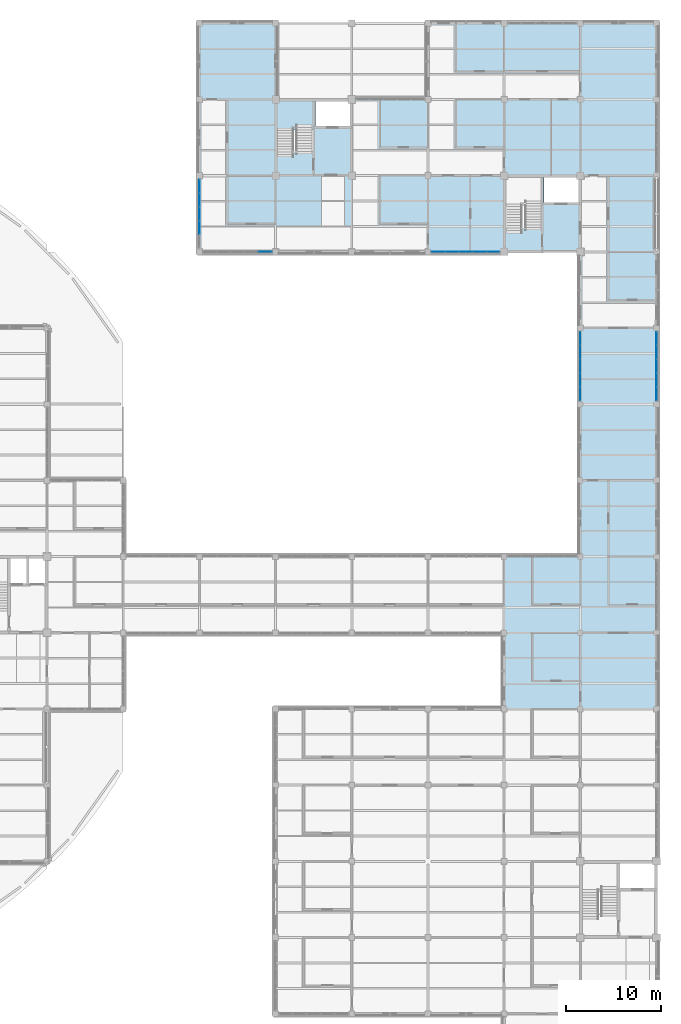
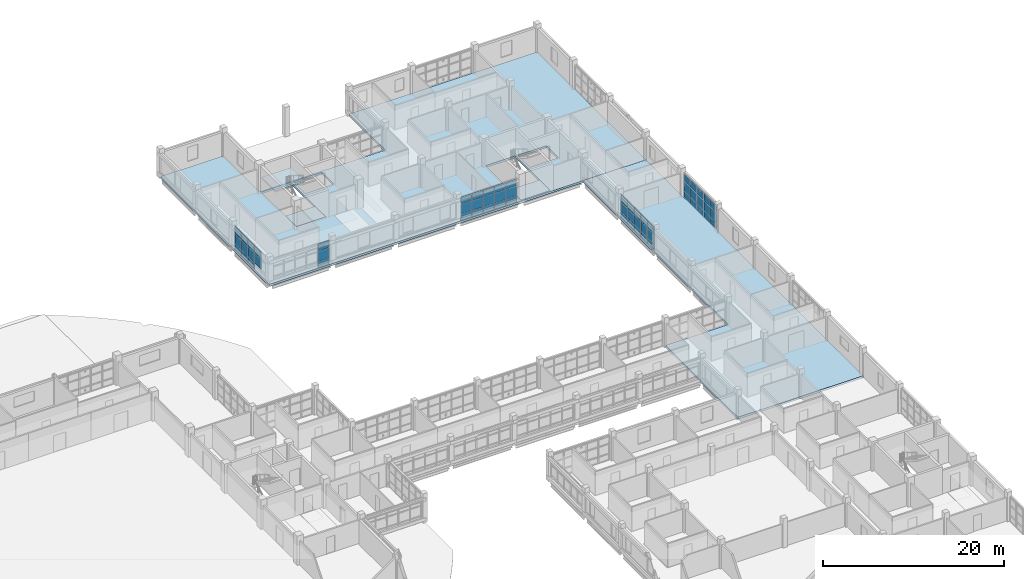
# One storey, part 81 of 126: 59 plates, 5 slabs, 6 elements without a shape of their own.
"""IFC4 building model written with IfcOpenShell, lengths in metres."""

from ifc_helpers import new_model, si_unit, derived_unit, direction, frame, origin, origin_2d, place, context, subcontext, project, spatial, polyline, rectangle, outline, extrude, material, layer, layer_set, type_object, element, aggregate, save


model = new_model("IFC4")

# Units and contexts
model_context = context("Model", 3, precision=1e-05, world=origin(), true_north=direction((0.0, 1.0)))
body_context = subcontext(model_context, "Body", "Model", "MODEL_VIEW")
ifc_project = project(units=[si_unit("LENGTHUNIT", "METRE"), si_unit("AREAUNIT", "SQUARE_METRE"), si_unit("VOLUMEUNIT", "CUBIC_METRE"), si_unit("PLANEANGLEUNIT", "RADIAN"), si_unit("MASSUNIT", "GRAM", prefix="KILO"), derived_unit("THERMALTRANSMITTANCEUNIT", [(si_unit("MASSUNIT", "GRAM", prefix="KILO"), 1), (si_unit("TIMEUNIT", "SECOND"), -3), (si_unit("THERMODYNAMICTEMPERATUREUNIT", "KELVIN"), -1)])], contexts=[model_context])

# Site, building, storey
site_placement = place(None, origin())
site = spatial("IfcSite", under=ifc_project, at=site_placement, CompositionType="ELEMENT")
building_placement = place(site_placement, origin())
building = spatial("IfcBuilding", under=site, at=building_placement, Name="Veyamyaing Civic Hall", CompositionType="ELEMENT")
storey_placement = place(building_placement, frame((0.0, 0.0, 9.89990234375)))
storey = spatial("IfcBuildingStorey", under=building, at=storey_placement, Name="L02", CompositionType="ELEMENT", Elevation=9.89990234375)

# Curtain wall, plates
ifc_material_1 = material(Name="Anodised aluminium 6063-T6", Category="aluminium")
ifc_layer_1 = layer(ifc_material_1, 0.159912109375, Name="Anodised aluminium 6063-T6")
ifc_layer_set_1 = layer_set([ifc_layer_1], Name="Anodised aluminium 6063-T6")
curtain_wall_type = type_object("IfcCurtainWallType", Name="CW-03", PredefinedType="NOTDEFINED", material=ifc_layer_set_1)
curtain_wall_1_placement = place(storey_placement, origin())
curtain_wall_1 = element("IfcCurtainWall", 1, at=curtain_wall_1_placement, inside=storey, type_object=curtain_wall_type, Name="Unitized curtain wall CW-03 L02 S 17.12", PredefinedType="NOTDEFINED")
ifc_material_2 = material(Name="Low-E insulated glass", Category="glass")
ifc_layer_2 = layer(ifc_material_2, 0.028076171875, Name="Low-E insulated glass")
ifc_layer_set_2 = layer_set([ifc_layer_2], Name="Low-E insulated glass")
plate_type_1 = type_object("IfcPlateType", Name="CWP-01", PredefinedType="CURTAIN_PANEL", material=ifc_layer_set_2)
plate_1_placement = place(storey_placement, frame((134.899658203125, 88.0, 0.06494140625), z_axis=(0.0, 0.0, 1.0), x_axis=(1.0, 0.0, 0.0)))
plate_1 = element("IfcPlate", 2, at=plate_1_placement, type_object=plate_type_1, Name="CW-03 panel 5.1", PredefinedType="CURTAIN_PANEL", context=body_context, shape_type="SweptSolid", body=[
    extrude(rectangle(XDim=1.360595703125, YDim=0.028076171875, at=origin_2d()), origin(), (0.0, 0.0, 1.0), 0.802490234375),
])
plate_2_placement = place(storey_placement, frame((134.899658203125, 88.0, 0.9326171875), z_axis=(0.0, 0.0, 1.0), x_axis=(1.0, 0.0, 0.0)))
plate_2 = element("IfcPlate", 3, at=plate_2_placement, type_object=plate_type_1, Name="CW-03 panel 5.2", PredefinedType="CURTAIN_PANEL", context=body_context, shape_type="SweptSolid", body=[
    extrude(rectangle(XDim=1.360595703125, YDim=0.028076171875, at=origin_2d()), origin(), (0.0, 0.0, 1.0), 1.308837890625),
])
plate_3_placement = place(storey_placement, frame((134.899658203125, 88.0, 2.306396484375), z_axis=(0.0, 0.0, 1.0), x_axis=(1.0, 0.0, 0.0)))
plate_3 = element("IfcPlate", 4, at=plate_3_placement, type_object=plate_type_1, Name="CW-03 panel 5.3", PredefinedType="CURTAIN_PANEL", context=body_context, shape_type="SweptSolid", body=[
    extrude(rectangle(XDim=1.360595703125, YDim=0.028076171875, at=origin_2d()), origin(), (0.0, 0.0, 1.0), 0.97265625),
])
aggregate(curtain_wall_1, [plate_1, plate_2, plate_3])

curtain_wall_2_placement = place(storey_placement, origin())
curtain_wall_2 = element("IfcCurtainWall", 5, at=curtain_wall_2_placement, inside=storey, type_object=curtain_wall_type, Name="Unitized curtain wall CW-03 L02 W 17.12", PredefinedType="NOTDEFINED")
plate_4_placement = place(storey_placement, frame((128.0, 90.5419921875, 0.9326171875), z_axis=(0.0, 0.0, 1.0), x_axis=(0.0, 1.0, 0.0)))
plate_4 = element("IfcPlate", 6, at=plate_4_placement, type_object=plate_type_1, Name="CW-03 panel 2.2", PredefinedType="CURTAIN_PANEL", context=body_context, shape_type="SweptSolid", body=[
    extrude(rectangle(XDim=1.39306640625, YDim=0.028076171875, at=origin_2d()), origin(), (0.0, 0.0, 1.0), 1.308837890625),
])
plate_5_placement = place(storey_placement, frame((128.0, 90.5419921875, 2.306396484375), z_axis=(0.0, 0.0, 1.0), x_axis=(0.0, 1.0, 0.0)))
plate_5 = element("IfcPlate", 7, at=plate_5_placement, type_object=plate_type_1, Name="CW-03 panel 2.3", PredefinedType="CURTAIN_PANEL", context=body_context, shape_type="SweptSolid", body=[
    extrude(rectangle(XDim=1.39306640625, YDim=0.028076171875, at=origin_2d()), origin(), (0.0, 0.0, 1.0), 0.97265625),
])
plate_6_placement = place(storey_placement, frame((128.0, 92.0, 0.06494140625), z_axis=(0.0, 0.0, 1.0), x_axis=(0.0, 1.0, 0.0)))
plate_6 = element("IfcPlate", 8, at=plate_6_placement, type_object=plate_type_1, Name="CW-03 panel 3.1", PredefinedType="CURTAIN_PANEL", context=body_context, shape_type="SweptSolid", body=[
    extrude(rectangle(XDim=1.39306640625, YDim=0.028076171875, at=origin_2d()), origin(), (0.0, 0.0, 1.0), 0.802490234375),
])
plate_7_placement = place(storey_placement, frame((128.0, 92.0, 0.9326171875), z_axis=(0.0, 0.0, 1.0), x_axis=(0.0, 1.0, 0.0)))
plate_7 = element("IfcPlate", 9, at=plate_7_placement, type_object=plate_type_1, Name="CW-03 panel 3.2", PredefinedType="CURTAIN_PANEL", context=body_context, shape_type="SweptSolid", body=[
    extrude(rectangle(XDim=1.39306640625, YDim=0.028076171875, at=origin_2d()), origin(), (0.0, 0.0, 1.0), 1.308837890625),
])
plate_8_placement = place(storey_placement, frame((128.0, 92.0, 2.306396484375), z_axis=(0.0, 0.0, 1.0), x_axis=(0.0, 1.0, 0.0)))
plate_8 = element("IfcPlate", 10, at=plate_8_placement, type_object=plate_type_1, Name="CW-03 panel 3.3", PredefinedType="CURTAIN_PANEL", context=body_context, shape_type="SweptSolid", body=[
    extrude(rectangle(XDim=1.39306640625, YDim=0.028076171875, at=origin_2d()), origin(), (0.0, 0.0, 1.0), 0.97265625),
])
plate_9_placement = place(storey_placement, frame((128.0, 93.4580078125, 0.06494140625), z_axis=(0.0, 0.0, 1.0), x_axis=(0.0, 1.0, 0.0)))
plate_9 = element("IfcPlate", 11, at=plate_9_placement, type_object=plate_type_1, Name="CW-03 panel 4.1", PredefinedType="CURTAIN_PANEL", context=body_context, shape_type="SweptSolid", body=[
    extrude(rectangle(XDim=1.39306640625, YDim=0.028076171875, at=origin_2d()), origin(), (0.0, 0.0, 1.0), 0.802490234375),
])
plate_10_placement = place(storey_placement, frame((128.0, 93.4580078125, 0.9326171875), z_axis=(0.0, 0.0, 1.0), x_axis=(0.0, 1.0, 0.0)))
plate_10 = element("IfcPlate", 12, at=plate_10_placement, type_object=plate_type_1, Name="CW-03 panel 4.2", PredefinedType="CURTAIN_PANEL", context=body_context, shape_type="SweptSolid", body=[
    extrude(rectangle(XDim=1.39306640625, YDim=0.028076171875, at=origin_2d()), origin(), (0.0, 0.0, 1.0), 1.308837890625),
])
plate_11_placement = place(storey_placement, frame((128.0, 93.4580078125, 2.306396484375), z_axis=(0.0, 0.0, 1.0), x_axis=(0.0, 1.0, 0.0)))
plate_11 = element("IfcPlate", 13, at=plate_11_placement, type_object=plate_type_1, Name="CW-03 panel 4.3", PredefinedType="CURTAIN_PANEL", context=body_context, shape_type="SweptSolid", body=[
    extrude(rectangle(XDim=1.39306640625, YDim=0.028076171875, at=origin_2d()), origin(), (0.0, 0.0, 1.0), 0.97265625),
])
plate_12_placement = place(storey_placement, frame((128.0, 94.899658203125, 0.06494140625), z_axis=(0.0, 0.0, 1.0), x_axis=(0.0, 1.0, 0.0)))
plate_12 = element("IfcPlate", 14, at=plate_12_placement, type_object=plate_type_1, Name="CW-03 panel 5.1", PredefinedType="CURTAIN_PANEL", context=body_context, shape_type="SweptSolid", body=[
    extrude(rectangle(XDim=1.360595703125, YDim=0.028076171875, at=origin_2d()), origin(), (0.0, 0.0, 1.0), 0.802490234375),
])
plate_13_placement = place(storey_placement, frame((128.0, 94.899658203125, 0.9326171875), z_axis=(0.0, 0.0, 1.0), x_axis=(0.0, 1.0, 0.0)))
plate_13 = element("IfcPlate", 15, at=plate_13_placement, type_object=plate_type_1, Name="CW-03 panel 5.2", PredefinedType="CURTAIN_PANEL", context=body_context, shape_type="SweptSolid", body=[
    extrude(rectangle(XDim=1.360595703125, YDim=0.028076171875, at=origin_2d()), origin(), (0.0, 0.0, 1.0), 1.308837890625),
])
plate_14_placement = place(storey_placement, frame((128.0, 94.899658203125, 2.306396484375), z_axis=(0.0, 0.0, 1.0), x_axis=(0.0, 1.0, 0.0)))
plate_14 = element("IfcPlate", 16, at=plate_14_placement, type_object=plate_type_1, Name="CW-03 panel 5.3", PredefinedType="CURTAIN_PANEL", context=body_context, shape_type="SweptSolid", body=[
    extrude(rectangle(XDim=1.360595703125, YDim=0.028076171875, at=origin_2d()), origin(), (0.0, 0.0, 1.0), 0.97265625),
])
aggregate(curtain_wall_2, [plate_4, plate_5, plate_6, plate_7, plate_8, plate_9, plate_10, plate_11, plate_12, plate_13, plate_14])

curtain_wall_3_placement = place(storey_placement, origin())
curtain_wall_3 = element("IfcCurtainWall", 17, at=curtain_wall_3_placement, inside=storey, type_object=curtain_wall_type, Name="Unitized curtain wall CW-03 L02 S 20.12", PredefinedType="NOTDEFINED")
ifc_layer_3 = layer(ifc_material_2, 0.02392578125, Name="Low-E insulated glass")
ifc_layer_set_3 = layer_set([ifc_layer_3], Name="Low-E insulated glass")
plate_type_2 = type_object("IfcPlateType", Name="CWP-04", PredefinedType="CURTAIN_PANEL", material=ifc_layer_set_3)
plate_15_placement = place(storey_placement, frame((153.0927734375, 88.0, 0.06494140625), z_axis=(0.0, 0.0, 1.0), x_axis=(1.0, 0.0, 0.0)))
plate_15 = element("IfcPlate", 18, at=plate_15_placement, type_object=plate_type_2, Name="CW-03 panel 1.1", PredefinedType="CURTAIN_PANEL", context=body_context, shape_type="SweptSolid", body=[
    extrude(rectangle(XDim=1.345458984375, YDim=0.02392578125, at=origin_2d()), origin(), (0.0, 0.0, 1.0), 0.802490234375),
])
plate_16_placement = place(storey_placement, frame((153.0927734375, 88.0, 0.9326171875), z_axis=(0.0, 0.0, 1.0), x_axis=(1.0, 0.0, 0.0)))
plate_16 = element("IfcPlate", 19, at=plate_16_placement, type_object=plate_type_2, Name="CW-03 panel 1.2", PredefinedType="CURTAIN_PANEL", context=body_context, shape_type="SweptSolid", body=[
    extrude(rectangle(XDim=1.345458984375, YDim=0.02392578125, at=origin_2d()), origin(), (0.0, 0.0, 1.0), 1.265380859375),
])
plate_17_placement = place(storey_placement, frame((153.0927734375, 88.0, 2.262939453125), z_axis=(0.0, 0.0, 1.0), x_axis=(1.0, 0.0, 0.0)))
plate_17 = element("IfcPlate", 20, at=plate_17_placement, type_object=plate_type_2, Name="CW-03 panel 1.3", PredefinedType="CURTAIN_PANEL", context=body_context, shape_type="SweptSolid", body=[
    extrude(rectangle(XDim=1.345458984375, YDim=0.02392578125, at=origin_2d()), origin(), (0.0, 0.0, 1.0), 0.9521484375),
])
plate_18_placement = place(storey_placement, frame((154.51953125, 88.0, 0.06494140625), z_axis=(0.0, 0.0, 1.0), x_axis=(1.0, 0.0, 0.0)))
plate_18 = element("IfcPlate", 21, at=plate_18_placement, type_object=plate_type_2, Name="CW-03 panel 2.1", PredefinedType="CURTAIN_PANEL", context=body_context, shape_type="SweptSolid", body=[
    extrude(rectangle(XDim=1.3779296875, YDim=0.02392578125, at=origin_2d()), origin(), (0.0, 0.0, 1.0), 0.802490234375),
])
plate_19_placement = place(storey_placement, frame((154.51953125, 88.0, 0.9326171875), z_axis=(0.0, 0.0, 1.0), x_axis=(1.0, 0.0, 0.0)))
plate_19 = element("IfcPlate", 22, at=plate_19_placement, type_object=plate_type_2, Name="CW-03 panel 2.2", PredefinedType="CURTAIN_PANEL", context=body_context, shape_type="SweptSolid", body=[
    extrude(rectangle(XDim=1.3779296875, YDim=0.02392578125, at=origin_2d()), origin(), (0.0, 0.0, 1.0), 1.265380859375),
])
plate_20_placement = place(storey_placement, frame((154.51953125, 88.0, 2.262939453125), z_axis=(0.0, 0.0, 1.0), x_axis=(1.0, 0.0, 0.0)))
plate_20 = element("IfcPlate", 23, at=plate_20_placement, type_object=plate_type_2, Name="CW-03 panel 2.3", PredefinedType="CURTAIN_PANEL", context=body_context, shape_type="SweptSolid", body=[
    extrude(rectangle(XDim=1.3779296875, YDim=0.02392578125, at=origin_2d()), origin(), (0.0, 0.0, 1.0), 0.9521484375),
])
plate_21_placement = place(storey_placement, frame((155.96240234375, 88.0, 0.06494140625), z_axis=(0.0, 0.0, 1.0), x_axis=(1.0, 0.0, 0.0)))
plate_21 = element("IfcPlate", 24, at=plate_21_placement, type_object=plate_type_2, Name="CW-03 panel 3.1", PredefinedType="CURTAIN_PANEL", context=body_context, shape_type="SweptSolid", body=[
    extrude(rectangle(XDim=1.3779296875, YDim=0.02392578125, at=origin_2d()), origin(), (0.0, 0.0, 1.0), 0.802490234375),
])
plate_22_placement = place(storey_placement, frame((155.96240234375, 88.0, 0.9326171875), z_axis=(0.0, 0.0, 1.0), x_axis=(1.0, 0.0, 0.0)))
plate_22 = element("IfcPlate", 25, at=plate_22_placement, type_object=plate_type_2, Name="CW-03 panel 3.2", PredefinedType="CURTAIN_PANEL", context=body_context, shape_type="SweptSolid", body=[
    extrude(rectangle(XDim=1.3779296875, YDim=0.02392578125, at=origin_2d()), origin(), (0.0, 0.0, 1.0), 1.265380859375),
])
plate_23_placement = place(storey_placement, frame((155.96240234375, 88.0, 2.262939453125), z_axis=(0.0, 0.0, 1.0), x_axis=(1.0, 0.0, 0.0)))
plate_23 = element("IfcPlate", 26, at=plate_23_placement, type_object=plate_type_2, Name="CW-03 panel 3.3", PredefinedType="CURTAIN_PANEL", context=body_context, shape_type="SweptSolid", body=[
    extrude(rectangle(XDim=1.3779296875, YDim=0.02392578125, at=origin_2d()), origin(), (0.0, 0.0, 1.0), 0.9521484375),
])
plate_24_placement = place(storey_placement, frame((157.405517578125, 88.0, 0.06494140625), z_axis=(0.0, 0.0, 1.0), x_axis=(1.0, 0.0, 0.0)))
plate_24 = element("IfcPlate", 27, at=plate_24_placement, type_object=plate_type_2, Name="CW-03 panel 4.1", PredefinedType="CURTAIN_PANEL", context=body_context, shape_type="SweptSolid", body=[
    extrude(rectangle(XDim=1.3779296875, YDim=0.02392578125, at=origin_2d()), origin(), (0.0, 0.0, 1.0), 0.802490234375),
])
plate_25_placement = place(storey_placement, frame((157.405517578125, 88.0, 0.9326171875), z_axis=(0.0, 0.0, 1.0), x_axis=(1.0, 0.0, 0.0)))
plate_25 = element("IfcPlate", 28, at=plate_25_placement, type_object=plate_type_2, Name="CW-03 panel 4.2", PredefinedType="CURTAIN_PANEL", context=body_context, shape_type="SweptSolid", body=[
    extrude(rectangle(XDim=1.3779296875, YDim=0.02392578125, at=origin_2d()), origin(), (0.0, 0.0, 1.0), 1.265380859375),
])
plate_26_placement = place(storey_placement, frame((157.405517578125, 88.0, 2.262939453125), z_axis=(0.0, 0.0, 1.0), x_axis=(1.0, 0.0, 0.0)))
plate_26 = element("IfcPlate", 29, at=plate_26_placement, type_object=plate_type_2, Name="CW-03 panel 4.3", PredefinedType="CURTAIN_PANEL", context=body_context, shape_type="SweptSolid", body=[
    extrude(rectangle(XDim=1.3779296875, YDim=0.02392578125, at=origin_2d()), origin(), (0.0, 0.0, 1.0), 0.9521484375),
])
plate_27_placement = place(storey_placement, frame((158.832275390625, 88.0, 0.06494140625), z_axis=(0.0, 0.0, 1.0), x_axis=(1.0, 0.0, 0.0)))
plate_27 = element("IfcPlate", 30, at=plate_27_placement, type_object=plate_type_2, Name="CW-03 panel 5.1", PredefinedType="CURTAIN_PANEL", context=body_context, shape_type="SweptSolid", body=[
    extrude(rectangle(XDim=1.345458984375, YDim=0.02392578125, at=origin_2d()), origin(), (0.0, 0.0, 1.0), 0.802490234375),
])
plate_28_placement = place(storey_placement, frame((158.832275390625, 88.0, 0.9326171875), z_axis=(0.0, 0.0, 1.0), x_axis=(1.0, 0.0, 0.0)))
plate_28 = element("IfcPlate", 31, at=plate_28_placement, type_object=plate_type_2, Name="CW-03 panel 5.2", PredefinedType="CURTAIN_PANEL", context=body_context, shape_type="SweptSolid", body=[
    extrude(rectangle(XDim=1.345458984375, YDim=0.02392578125, at=origin_2d()), origin(), (0.0, 0.0, 1.0), 1.265380859375),
])
plate_29_placement = place(storey_placement, frame((158.832275390625, 88.0, 2.262939453125), z_axis=(0.0, 0.0, 1.0), x_axis=(1.0, 0.0, 0.0)))
plate_29 = element("IfcPlate", 32, at=plate_29_placement, type_object=plate_type_2, Name="CW-03 panel 5.3", PredefinedType="CURTAIN_PANEL", context=body_context, shape_type="SweptSolid", body=[
    extrude(rectangle(XDim=1.345458984375, YDim=0.02392578125, at=origin_2d()), origin(), (0.0, 0.0, 1.0), 0.9521484375),
])
aggregate(curtain_wall_3, [plate_15, plate_16, plate_17, plate_18, plate_19, plate_20, plate_21, plate_22, plate_23, plate_24, plate_25, plate_26, plate_27, plate_28, plate_29])

curtain_wall_4_placement = place(storey_placement, origin())
curtain_wall_4 = element("IfcCurtainWall", 33, at=curtain_wall_4_placement, inside=storey, type_object=curtain_wall_type, Name="Unitized curtain wall CW-03 L02 W 22.10", PredefinedType="NOTDEFINED")
plate_30_placement = place(storey_placement, frame((168.0, 73.07763671875, 0.06494140625), z_axis=(0.0, 0.0, 1.0), x_axis=(0.0, 1.0, 0.0)))
plate_30 = element("IfcPlate", 34, at=plate_30_placement, type_object=plate_type_2, Name="CW-03 panel 1.1", PredefinedType="CURTAIN_PANEL", context=body_context, shape_type="SweptSolid", body=[
    extrude(rectangle(XDim=1.365478515625, YDim=0.02392578125, at=origin_2d()), origin(), (0.0, 0.0, 1.0), 0.802490234375),
])
plate_31_placement = place(storey_placement, frame((168.0, 73.07763671875, 0.9326171875), z_axis=(0.0, 0.0, 1.0), x_axis=(0.0, 1.0, 0.0)))
plate_31 = element("IfcPlate", 35, at=plate_31_placement, type_object=plate_type_2, Name="CW-03 panel 1.2", PredefinedType="CURTAIN_PANEL", context=body_context, shape_type="SweptSolid", body=[
    extrude(rectangle(XDim=1.365478515625, YDim=0.02392578125, at=origin_2d()), origin(), (0.0, 0.0, 1.0), 1.265380859375),
])
plate_32_placement = place(storey_placement, frame((168.0, 73.07763671875, 2.262939453125), z_axis=(0.0, 0.0, 1.0), x_axis=(0.0, 1.0, 0.0)))
plate_32 = element("IfcPlate", 36, at=plate_32_placement, type_object=plate_type_2, Name="CW-03 panel 1.3", PredefinedType="CURTAIN_PANEL", context=body_context, shape_type="SweptSolid", body=[
    extrude(rectangle(XDim=1.365478515625, YDim=0.02392578125, at=origin_2d()), origin(), (0.0, 0.0, 1.0), 0.9521484375),
])
plate_33_placement = place(storey_placement, frame((168.0, 74.5244140625, 0.06494140625), z_axis=(0.0, 0.0, 1.0), x_axis=(0.0, 1.0, 0.0)))
plate_33 = element("IfcPlate", 37, at=plate_33_placement, type_object=plate_type_2, Name="CW-03 panel 2.1", PredefinedType="CURTAIN_PANEL", context=body_context, shape_type="SweptSolid", body=[
    extrude(rectangle(XDim=1.39794921875, YDim=0.02392578125, at=origin_2d()), origin(), (0.0, 0.0, 1.0), 0.802490234375),
])
plate_34_placement = place(storey_placement, frame((168.0, 74.5244140625, 0.9326171875), z_axis=(0.0, 0.0, 1.0), x_axis=(0.0, 1.0, 0.0)))
plate_34 = element("IfcPlate", 38, at=plate_34_placement, type_object=plate_type_2, Name="CW-03 panel 2.2", PredefinedType="CURTAIN_PANEL", context=body_context, shape_type="SweptSolid", body=[
    extrude(rectangle(XDim=1.39794921875, YDim=0.02392578125, at=origin_2d()), origin(), (0.0, 0.0, 1.0), 1.265380859375),
])
plate_35_placement = place(storey_placement, frame((168.0, 74.5244140625, 2.262939453125), z_axis=(0.0, 0.0, 1.0), x_axis=(0.0, 1.0, 0.0)))
plate_35 = element("IfcPlate", 39, at=plate_35_placement, type_object=plate_type_2, Name="CW-03 panel 2.3", PredefinedType="CURTAIN_PANEL", context=body_context, shape_type="SweptSolid", body=[
    extrude(rectangle(XDim=1.39794921875, YDim=0.02392578125, at=origin_2d()), origin(), (0.0, 0.0, 1.0), 0.9521484375),
])
plate_36_placement = place(storey_placement, frame((168.0, 75.987548828125, 0.06494140625), z_axis=(0.0, 0.0, 1.0), x_axis=(0.0, 1.0, 0.0)))
plate_36 = element("IfcPlate", 40, at=plate_36_placement, type_object=plate_type_2, Name="CW-03 panel 3.1", PredefinedType="CURTAIN_PANEL", context=body_context, shape_type="SweptSolid", body=[
    extrude(rectangle(XDim=1.39794921875, YDim=0.02392578125, at=origin_2d()), origin(), (0.0, 0.0, 1.0), 0.802490234375),
])
plate_37_placement = place(storey_placement, frame((168.0, 75.987548828125, 0.9326171875), z_axis=(0.0, 0.0, 1.0), x_axis=(0.0, 1.0, 0.0)))
plate_37 = element("IfcPlate", 41, at=plate_37_placement, type_object=plate_type_2, Name="CW-03 panel 3.2", PredefinedType="CURTAIN_PANEL", context=body_context, shape_type="SweptSolid", body=[
    extrude(rectangle(XDim=1.39794921875, YDim=0.02392578125, at=origin_2d()), origin(), (0.0, 0.0, 1.0), 1.265380859375),
])
plate_38_placement = place(storey_placement, frame((168.0, 75.987548828125, 2.262939453125), z_axis=(0.0, 0.0, 1.0), x_axis=(0.0, 1.0, 0.0)))
plate_38 = element("IfcPlate", 42, at=plate_38_placement, type_object=plate_type_2, Name="CW-03 panel 3.3", PredefinedType="CURTAIN_PANEL", context=body_context, shape_type="SweptSolid", body=[
    extrude(rectangle(XDim=1.39794921875, YDim=0.02392578125, at=origin_2d()), origin(), (0.0, 0.0, 1.0), 0.9521484375),
])
plate_39_placement = place(storey_placement, frame((168.0, 77.450439453125, 0.06494140625), z_axis=(0.0, 0.0, 1.0), x_axis=(0.0, 1.0, 0.0)))
plate_39 = element("IfcPlate", 43, at=plate_39_placement, type_object=plate_type_2, Name="CW-03 panel 4.1", PredefinedType="CURTAIN_PANEL", context=body_context, shape_type="SweptSolid", body=[
    extrude(rectangle(XDim=1.39794921875, YDim=0.02392578125, at=origin_2d()), origin(), (0.0, 0.0, 1.0), 0.802490234375),
])
plate_40_placement = place(storey_placement, frame((168.0, 77.450439453125, 0.9326171875), z_axis=(0.0, 0.0, 1.0), x_axis=(0.0, 1.0, 0.0)))
plate_40 = element("IfcPlate", 44, at=plate_40_placement, type_object=plate_type_2, Name="CW-03 panel 4.2", PredefinedType="CURTAIN_PANEL", context=body_context, shape_type="SweptSolid", body=[
    extrude(rectangle(XDim=1.39794921875, YDim=0.02392578125, at=origin_2d()), origin(), (0.0, 0.0, 1.0), 1.265380859375),
])
plate_41_placement = place(storey_placement, frame((168.0, 77.450439453125, 2.262939453125), z_axis=(0.0, 0.0, 1.0), x_axis=(0.0, 1.0, 0.0)))
plate_41 = element("IfcPlate", 45, at=plate_41_placement, type_object=plate_type_2, Name="CW-03 panel 4.3", PredefinedType="CURTAIN_PANEL", context=body_context, shape_type="SweptSolid", body=[
    extrude(rectangle(XDim=1.39794921875, YDim=0.02392578125, at=origin_2d()), origin(), (0.0, 0.0, 1.0), 0.9521484375),
])
plate_42_placement = place(storey_placement, frame((168.0, 78.897216796875, 0.06494140625), z_axis=(0.0, 0.0, 1.0), x_axis=(0.0, 1.0, 0.0)))
plate_42 = element("IfcPlate", 46, at=plate_42_placement, type_object=plate_type_2, Name="CW-03 panel 5.1", PredefinedType="CURTAIN_PANEL", context=body_context, shape_type="SweptSolid", body=[
    extrude(rectangle(XDim=1.365478515625, YDim=0.02392578125, at=origin_2d()), origin(), (0.0, 0.0, 1.0), 0.802490234375),
])
plate_43_placement = place(storey_placement, frame((168.0, 78.897216796875, 0.9326171875), z_axis=(0.0, 0.0, 1.0), x_axis=(0.0, 1.0, 0.0)))
plate_43 = element("IfcPlate", 47, at=plate_43_placement, type_object=plate_type_2, Name="CW-03 panel 5.2", PredefinedType="CURTAIN_PANEL", context=body_context, shape_type="SweptSolid", body=[
    extrude(rectangle(XDim=1.365478515625, YDim=0.02392578125, at=origin_2d()), origin(), (0.0, 0.0, 1.0), 1.265380859375),
])
plate_44_placement = place(storey_placement, frame((168.0, 78.897216796875, 2.262939453125), z_axis=(0.0, 0.0, 1.0), x_axis=(0.0, 1.0, 0.0)))
plate_44 = element("IfcPlate", 48, at=plate_44_placement, type_object=plate_type_2, Name="CW-03 panel 5.3", PredefinedType="CURTAIN_PANEL", context=body_context, shape_type="SweptSolid", body=[
    extrude(rectangle(XDim=1.365478515625, YDim=0.02392578125, at=origin_2d()), origin(), (0.0, 0.0, 1.0), 0.9521484375),
])
aggregate(curtain_wall_4, [plate_30, plate_31, plate_32, plate_33, plate_34, plate_35, plate_36, plate_37, plate_38, plate_39, plate_40, plate_41, plate_42, plate_43, plate_44])

curtain_wall_5_placement = place(storey_placement, origin())
curtain_wall_5 = element("IfcCurtainWall", 49, at=curtain_wall_5_placement, inside=storey, type_object=curtain_wall_type, Name="Unitized curtain wall CW-03 L02 E 22.10", PredefinedType="NOTDEFINED")
plate_45_placement = place(storey_placement, frame((176.0, 73.07763671875, 0.06494140625), z_axis=(0.0, 0.0, 1.0), x_axis=(0.0, 1.0, 0.0)))
plate_45 = element("IfcPlate", 50, at=plate_45_placement, type_object=plate_type_2, Name="CW-03 panel 1.1", PredefinedType="CURTAIN_PANEL", context=body_context, shape_type="SweptSolid", body=[
    extrude(rectangle(XDim=1.365478515625, YDim=0.02392578125, at=origin_2d()), origin(), (0.0, 0.0, 1.0), 0.802490234375),
])
plate_46_placement = place(storey_placement, frame((176.0, 73.07763671875, 0.9326171875), z_axis=(0.0, 0.0, 1.0), x_axis=(0.0, 1.0, 0.0)))
plate_46 = element("IfcPlate", 51, at=plate_46_placement, type_object=plate_type_2, Name="CW-03 panel 1.2", PredefinedType="CURTAIN_PANEL", context=body_context, shape_type="SweptSolid", body=[
    extrude(rectangle(XDim=1.365478515625, YDim=0.02392578125, at=origin_2d()), origin(), (0.0, 0.0, 1.0), 1.308837890625),
])
plate_47_placement = place(storey_placement, frame((176.0, 73.07763671875, 2.306396484375), z_axis=(0.0, 0.0, 1.0), x_axis=(0.0, 1.0, 0.0)))
plate_47 = element("IfcPlate", 52, at=plate_47_placement, type_object=plate_type_2, Name="CW-03 panel 1.3", PredefinedType="CURTAIN_PANEL", context=body_context, shape_type="SweptSolid", body=[
    extrude(rectangle(XDim=1.365478515625, YDim=0.02392578125, at=origin_2d()), origin(), (0.0, 0.0, 1.0), 0.97265625),
])
plate_48_placement = place(storey_placement, frame((176.0, 74.5244140625, 0.06494140625), z_axis=(0.0, 0.0, 1.0), x_axis=(0.0, 1.0, 0.0)))
plate_48 = element("IfcPlate", 53, at=plate_48_placement, type_object=plate_type_2, Name="CW-03 panel 2.1", PredefinedType="CURTAIN_PANEL", context=body_context, shape_type="SweptSolid", body=[
    extrude(rectangle(XDim=1.39794921875, YDim=0.02392578125, at=origin_2d()), origin(), (0.0, 0.0, 1.0), 0.802490234375),
])
plate_49_placement = place(storey_placement, frame((176.0, 74.5244140625, 0.9326171875), z_axis=(0.0, 0.0, 1.0), x_axis=(0.0, 1.0, 0.0)))
plate_49 = element("IfcPlate", 54, at=plate_49_placement, type_object=plate_type_2, Name="CW-03 panel 2.2", PredefinedType="CURTAIN_PANEL", context=body_context, shape_type="SweptSolid", body=[
    extrude(rectangle(XDim=1.39794921875, YDim=0.02392578125, at=origin_2d()), origin(), (0.0, 0.0, 1.0), 1.308837890625),
])
plate_50_placement = place(storey_placement, frame((176.0, 74.5244140625, 2.306396484375), z_axis=(0.0, 0.0, 1.0), x_axis=(0.0, 1.0, 0.0)))
plate_50 = element("IfcPlate", 55, at=plate_50_placement, type_object=plate_type_2, Name="CW-03 panel 2.3", PredefinedType="CURTAIN_PANEL", context=body_context, shape_type="SweptSolid", body=[
    extrude(rectangle(XDim=1.39794921875, YDim=0.02392578125, at=origin_2d()), origin(), (0.0, 0.0, 1.0), 0.97265625),
])
plate_51_placement = place(storey_placement, frame((176.0, 75.987548828125, 0.06494140625), z_axis=(0.0, 0.0, 1.0), x_axis=(0.0, 1.0, 0.0)))
plate_51 = element("IfcPlate", 56, at=plate_51_placement, type_object=plate_type_2, Name="CW-03 panel 3.1", PredefinedType="CURTAIN_PANEL", context=body_context, shape_type="SweptSolid", body=[
    extrude(rectangle(XDim=1.39794921875, YDim=0.02392578125, at=origin_2d()), origin(), (0.0, 0.0, 1.0), 0.802490234375),
])
plate_52_placement = place(storey_placement, frame((176.0, 75.987548828125, 0.9326171875), z_axis=(0.0, 0.0, 1.0), x_axis=(0.0, 1.0, 0.0)))
plate_52 = element("IfcPlate", 57, at=plate_52_placement, type_object=plate_type_2, Name="CW-03 panel 3.2", PredefinedType="CURTAIN_PANEL", context=body_context, shape_type="SweptSolid", body=[
    extrude(rectangle(XDim=1.39794921875, YDim=0.02392578125, at=origin_2d()), origin(), (0.0, 0.0, 1.0), 1.308837890625),
])
plate_53_placement = place(storey_placement, frame((176.0, 75.987548828125, 2.306396484375), z_axis=(0.0, 0.0, 1.0), x_axis=(0.0, 1.0, 0.0)))
plate_53 = element("IfcPlate", 58, at=plate_53_placement, type_object=plate_type_2, Name="CW-03 panel 3.3", PredefinedType="CURTAIN_PANEL", context=body_context, shape_type="SweptSolid", body=[
    extrude(rectangle(XDim=1.39794921875, YDim=0.02392578125, at=origin_2d()), origin(), (0.0, 0.0, 1.0), 0.97265625),
])
plate_54_placement = place(storey_placement, frame((176.0, 77.450439453125, 0.06494140625), z_axis=(0.0, 0.0, 1.0), x_axis=(0.0, 1.0, 0.0)))
plate_54 = element("IfcPlate", 59, at=plate_54_placement, type_object=plate_type_2, Name="CW-03 panel 4.1", PredefinedType="CURTAIN_PANEL", context=body_context, shape_type="SweptSolid", body=[
    extrude(rectangle(XDim=1.39794921875, YDim=0.02392578125, at=origin_2d()), origin(), (0.0, 0.0, 1.0), 0.802490234375),
])
plate_55_placement = place(storey_placement, frame((176.0, 77.450439453125, 0.9326171875), z_axis=(0.0, 0.0, 1.0), x_axis=(0.0, 1.0, 0.0)))
plate_55 = element("IfcPlate", 60, at=plate_55_placement, type_object=plate_type_2, Name="CW-03 panel 4.2", PredefinedType="CURTAIN_PANEL", context=body_context, shape_type="SweptSolid", body=[
    extrude(rectangle(XDim=1.39794921875, YDim=0.02392578125, at=origin_2d()), origin(), (0.0, 0.0, 1.0), 1.308837890625),
])
plate_56_placement = place(storey_placement, frame((176.0, 77.450439453125, 2.306396484375), z_axis=(0.0, 0.0, 1.0), x_axis=(0.0, 1.0, 0.0)))
plate_56 = element("IfcPlate", 61, at=plate_56_placement, type_object=plate_type_2, Name="CW-03 panel 4.3", PredefinedType="CURTAIN_PANEL", context=body_context, shape_type="SweptSolid", body=[
    extrude(rectangle(XDim=1.39794921875, YDim=0.02392578125, at=origin_2d()), origin(), (0.0, 0.0, 1.0), 0.97265625),
])
plate_57_placement = place(storey_placement, frame((176.0, 78.897216796875, 0.06494140625), z_axis=(0.0, 0.0, 1.0), x_axis=(0.0, 1.0, 0.0)))
plate_57 = element("IfcPlate", 62, at=plate_57_placement, type_object=plate_type_2, Name="CW-03 panel 5.1", PredefinedType="CURTAIN_PANEL", context=body_context, shape_type="SweptSolid", body=[
    extrude(rectangle(XDim=1.365478515625, YDim=0.02392578125, at=origin_2d()), origin(), (0.0, 0.0, 1.0), 0.802490234375),
])
plate_58_placement = place(storey_placement, frame((176.0, 78.897216796875, 0.9326171875), z_axis=(0.0, 0.0, 1.0), x_axis=(0.0, 1.0, 0.0)))
plate_58 = element("IfcPlate", 63, at=plate_58_placement, type_object=plate_type_2, Name="CW-03 panel 5.2", PredefinedType="CURTAIN_PANEL", context=body_context, shape_type="SweptSolid", body=[
    extrude(rectangle(XDim=1.365478515625, YDim=0.02392578125, at=origin_2d()), origin(), (0.0, 0.0, 1.0), 1.308837890625),
])
plate_59_placement = place(storey_placement, frame((176.0, 78.897216796875, 2.306396484375), z_axis=(0.0, 0.0, 1.0), x_axis=(0.0, 1.0, 0.0)))
plate_59 = element("IfcPlate", 64, at=plate_59_placement, type_object=plate_type_2, Name="CW-03 panel 5.3", PredefinedType="CURTAIN_PANEL", context=body_context, shape_type="SweptSolid", body=[
    extrude(rectangle(XDim=1.365478515625, YDim=0.02392578125, at=origin_2d()), origin(), (0.0, 0.0, 1.0), 0.97265625),
])
aggregate(curtain_wall_5, [plate_45, plate_46, plate_47, plate_48, plate_49, plate_50, plate_51, plate_52, plate_53, plate_54, plate_55, plate_56, plate_57, plate_58, plate_59])

# Slabs
ifc_material_3 = material(Name="Concrete C40/50", Category="concrete")
ifc_layer_4 = layer(ifc_material_3, 0.284912109375, Name="Concrete C40/50")
ifc_layer_set_4 = layer_set([ifc_layer_4], Name="Concrete C40/50")
slab_type_1 = type_object("IfcSlabType", Name="SL-04", PredefinedType="FLOOR", material=ifc_layer_set_4)
slab_1_placement = place(storey_placement, frame((0.0, 0.0, -0.284912109375)))
element("IfcSlab", 65, at=slab_1_placement, inside=storey, type_object=slab_type_1, Name="Floor slab SL-04 L02 V4NE.1", PredefinedType="FLOOR", context=body_context, shape_type="SweptSolid", body=[
    extrude(outline(polyline([(176.0, 88.0), (128.0, 88.0), (128.0, 112.0), (136.0, 112.0), (136.0, 104.0), (152.0, 104.0), (152.0, 112.0), (176.0, 112.0), (176.0, 88.0)]), holes=[polyline([(163.909912109375, 95.860107421875), (160.139892578125, 95.860107421875), (160.139892578125, 88.139892578125), (163.909912109375, 88.139892578125), (163.909912109375, 95.860107421875)]), polyline([(167.820068359375, 95.820068359375), (164.179931640625, 95.820068359375), (164.179931640625, 93.179931640625), (167.820068359375, 93.179931640625), (167.820068359375, 95.820068359375)]), polyline([(139.909912109375, 96.139892578125), (139.909912109375, 103.860107421875), (136.139892578125, 103.860107421875), (136.139892578125, 96.139892578125), (139.909912109375, 96.139892578125)]), polyline([(143.820068359375, 101.179931640625), (143.820068359375, 103.820068359375), (140.179931640625, 103.820068359375), (140.179931640625, 101.179931640625), (143.820068359375, 101.179931640625)])]), origin(), (0.0, 0.0, 1.0), 0.284912109375),
])
slab_2_placement = place(storey_placement, frame((0.0, 0.0, -0.284912109375)))
element("IfcSlab", 66, at=slab_2_placement, inside=storey, type_object=slab_type_1, Name="Floor slab SL-04 L02 V4SE.1", PredefinedType="FLOOR", context=body_context, shape_type="SweptSolid", body=[
    extrude(outline(polyline([(168.0, 56.0), (168.0, 88.0), (176.0, 88.0), (176.0, 40.0), (160.0, 40.0), (160.0, 56.0), (168.0, 56.0)])), origin(), (0.0, 0.0, 1.0), 0.284912109375),
])
ifc_layer_5 = layer(ifc_material_3, 0.199951171875, Name="Concrete C40/50")
ifc_layer_set_5 = layer_set([ifc_layer_5], Name="Concrete C40/50")
slab_type_2 = type_object("IfcSlabType", Name="SL-16", PredefinedType="FLOOR", material=ifc_layer_set_5)
slab_3_placement = place(storey_placement, frame((0.0, 0.0, -0.199951171875)))
element("IfcSlab", 67, at=slab_3_placement, inside=storey, type_object=slab_type_2, Name="Stair floor landing slab SL-16 ST-03 L02", PredefinedType="FLOOR", context=body_context, shape_type="SweptSolid", body=[
    extrude(outline(polyline([(160.139892578125, 88.139892578125), (163.909912109375, 88.139892578125), (163.909912109375, 90.52001953125), (160.139892578125, 90.52001953125), (160.139892578125, 88.139892578125)])), origin(), (0.0, 0.0, 1.0), 0.199951171875),
])
slab_4_placement = place(storey_placement, frame((0.0, 0.0, -0.199951171875)))
element("IfcSlab", 68, at=slab_4_placement, inside=storey, type_object=slab_type_2, Name="Stair floor landing slab SL-16 ST-04 L02", PredefinedType="FLOOR", context=body_context, shape_type="SweptSolid", body=[
    extrude(outline(polyline([(136.139892578125, 96.139892578125), (139.909912109375, 96.139892578125), (139.909912109375, 98.52001953125), (136.139892578125, 98.52001953125), (136.139892578125, 96.139892578125)])), origin(), (0.0, 0.0, 1.0), 0.199951171875),
])

# Stair, slab
stair_type = type_object("IfcStairType", Name="ST-D", PredefinedType="HALF_TURN_STAIR", material=ifc_material_3)
stair_placement = place(storey_placement, origin())
stair = element("IfcStair", 69, at=stair_placement, inside=storey, type_object=stair_type, Name="Protected exit stair ST-04 L02", PredefinedType="HALF_TURN_STAIR")
ifc_layer_6 = layer(ifc_material_3, 0.195068359375, Name="Concrete C40/50")
ifc_layer_set_6 = layer_set([ifc_layer_6], Name="Concrete C40/50")
slab_type_3 = type_object("IfcSlabType", Name="SL-LND", PredefinedType="LANDING", material=ifc_layer_set_6)
slab_5_placement = place(storey_placement, frame((0.0, 0.0, 1.78515625)))
slab_5 = element("IfcSlab", 70, at=slab_5_placement, type_object=slab_type_3, Name="ST-04 landing 1", PredefinedType="LANDING", context=body_context, shape_type="SweptSolid", body=[
    extrude(outline(polyline([(136.139892578125, 100.7900390625), (139.909912109375, 100.7900390625), (139.909912109375, 103.860107421875), (136.139892578125, 103.860107421875), (136.139892578125, 100.7900390625)])), origin(), (0.0, 0.0, 1.0), 0.19482421875),
])
aggregate(stair, [slab_5])

save(model, "model.ifc")
